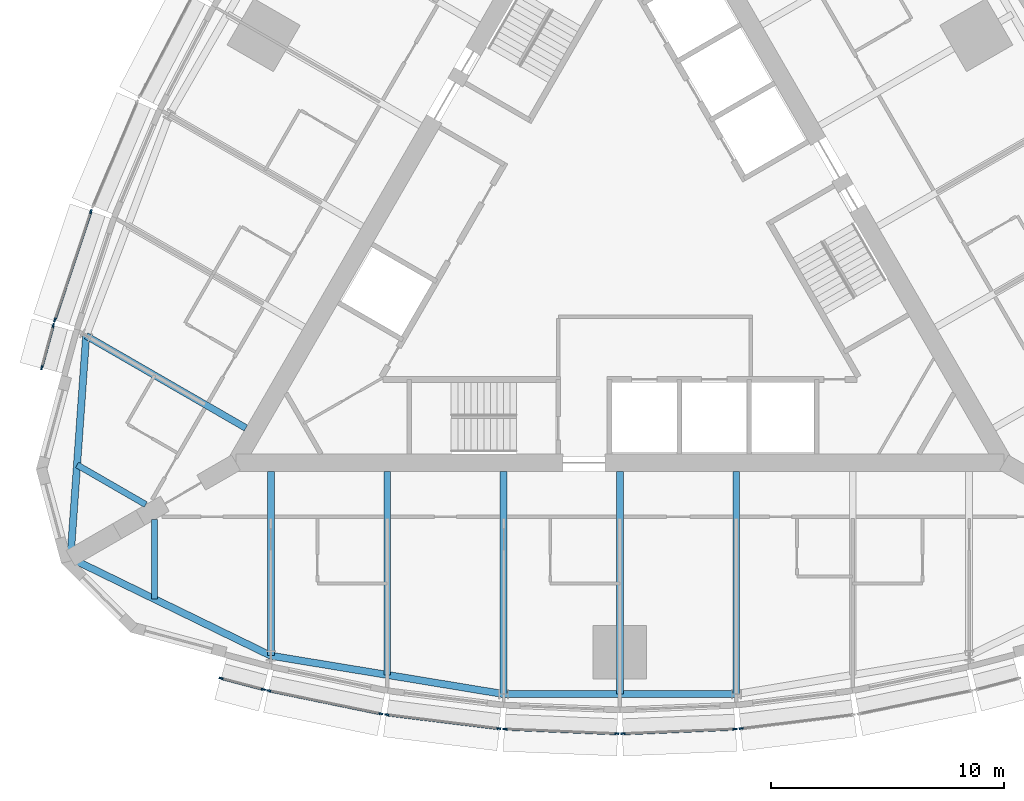
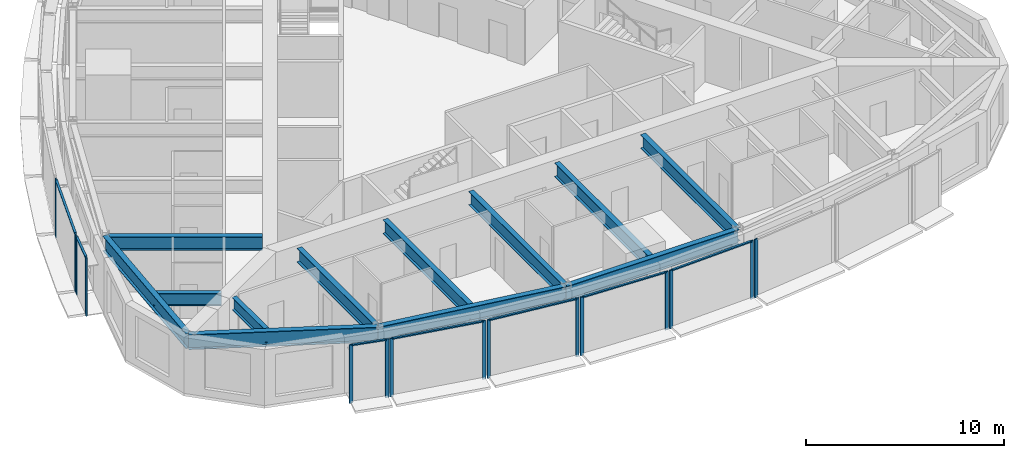
# One storey, part 2 of 15: 22 members, 12 beams, 8 elements without a shape of their own.
"""IFC4 building model written with IfcOpenShell, lengths in metres."""

import ifcopenshell
import ifcopenshell.guid

model = None  # the IFC model being written
_history = None  # IfcOwnerHistory: only IFC2X3 demands one
_inside = {}  # id of a spatial element -> (the spatial element, [elements in it])
_under = {}  # id of a project, library or spatial element -> (it, [spatial elements below it])
_declared = {}  # id of a project -> (the project, [libraries it declares])
_typed = {}  # id of a type object -> (the type object, [elements of that type])
_made_of = {}  # id of a material, layer set ... -> (it, [elements and type objects made of it])


def new_model(schema):
    """Start an empty IFC model of exactly this schema.

    Asked for "IFC4X3", IfcOpenShell would pick the latest addendum, in which some entities
    have other attributes; the version numbers below select the first issue.
    IFC2X3 requires an IfcOwnerHistory on every rooted entity: one is made here for all.
    """
    global model, _history
    if schema == "IFC4X3":
        model = ifcopenshell.file(schema_version=(4, 3, 0, 0))
    else:
        model = ifcopenshell.file(schema=schema)
    _inside.clear()
    _under.clear()
    _declared.clear()
    _typed.clear()
    _made_of.clear()
    _history = None
    if model.schema == "IFC2X3":
        org = make("IfcOrganization", Name="unknown")
        user = make(
            "IfcPersonAndOrganization",
            ThePerson=make("IfcPerson", FamilyName="unknown"),
            TheOrganization=org,
        )
        app = make(
            "IfcApplication",
            ApplicationDeveloper=org,
            Version="unknown",
            ApplicationFullName="unknown",
            ApplicationIdentifier="unknown",
        )
        _history = make(
            "IfcOwnerHistory",
            OwningUser=user,
            OwningApplication=app,
            ChangeAction="ADDED",
            CreationDate=0,
        )
    return model


def make(cls, **values):
    """One entity of the class cls with the attributes given. An attribute that is None is left unset."""
    return model.create_entity(
        cls, **{name: value for name, value in values.items() if value is not None}
    )


def rooted(cls, **values):
    """An entity with a GlobalId (a new one), such as an element, a storey or a relation."""
    return make(cls, GlobalId=ifcopenshell.guid.new(), OwnerHistory=_history, **values)


def si_unit(unit_type, name, prefix=None):
    """IfcSIUnit, for example si_unit("LENGTHUNIT", "METRE", prefix="MILLI")."""
    return make("IfcSIUnit", UnitType=unit_type, Prefix=prefix, Name=name)


def assignment(units):
    """IfcUnitAssignment: the units of a project."""
    return None if units is None else make("IfcUnitAssignment", Units=units)


def point(xyz):
    """IfcCartesianPoint."""
    return None if xyz is None else make("IfcCartesianPoint", Coordinates=xyz)


def direction(xyz):
    """IfcDirection."""
    return None if xyz is None else make("IfcDirection", DirectionRatios=xyz)


def frame(location, z_axis=None, x_axis=None):
    """IfcAxis2Placement3D, a coordinate frame: its origin and axes. An axis left out is left unset."""
    return make(
        "IfcAxis2Placement3D",
        Location=point(location),
        Axis=direction(z_axis),
        RefDirection=direction(x_axis),
    )


def frame_2d(location, x_axis=None):
    """IfcAxis2Placement2D, a coordinate frame in the plane: its origin and x axis."""
    return make(
        "IfcAxis2Placement2D", Location=point(location), RefDirection=direction(x_axis)
    )


def origin():
    """The frame at (0, 0, 0) with its axes left unset."""
    return frame((0.0, 0.0, 0.0))


def origin_2d():
    """The frame at (0, 0) in the plane with its x axis left unset."""
    return frame_2d((0.0, 0.0))


def place(relative_to, where):
    """IfcLocalPlacement: puts the frame where relative to a parent placement (None: the world)."""
    return make(
        "IfcLocalPlacement", PlacementRelTo=relative_to, RelativePlacement=where
    )


def context(
    kind, dimensions, precision=None, world=None, true_north=None, identifier=None
):
    """IfcGeometricRepresentationContext, for example the 3D "Model" context."""
    return make(
        "IfcGeometricRepresentationContext",
        ContextIdentifier=identifier,
        ContextType=kind,
        CoordinateSpaceDimension=dimensions,
        Precision=precision,
        WorldCoordinateSystem=world,
        TrueNorth=true_north,
    )


def subcontext(parent, identifier, kind, view, scale=None):
    """IfcGeometricRepresentationSubContext, for example "Body" below "Model"."""
    return make(
        "IfcGeometricRepresentationSubContext",
        ContextIdentifier=identifier,
        ContextType=kind,
        ParentContext=parent,
        TargetScale=scale,
        TargetView=view,
    )


def project(units=None, contexts=None):
    """IfcProject with its units and contexts."""
    return rooted(
        "IfcProject",
        Name="project",
        RepresentationContexts=contexts,
        UnitsInContext=assignment(units),
    )


def spatial(cls, under=None, at=None, **own):
    """A site, building, storey or space (cls), placed at a placement, below another one or the project."""
    s = rooted(cls, ObjectPlacement=at, **own)
    if under is not None:
        _under.setdefault(under.id(), (under, []))[1].append(s)
    return s


def profile(cls, at=None, kind="AREA", **sizes):
    """A parametric profile (cls). Its sizes go by their IFC names, for example OverallWidth=200.0."""
    return make(cls, ProfileType=kind, Position=at, **sizes)


def rectangle(**sizes):
    """IfcRectangleProfileDef."""
    return profile("IfcRectangleProfileDef", **sizes)


def i_section(**sizes):
    """IfcIShapeProfileDef."""
    return profile("IfcIShapeProfileDef", **sizes)


def extrude(swept, where, along, depth):
    """IfcExtrudedAreaSolid: the profile swept, set in the frame where, extruded along a direction by depth."""
    return make(
        "IfcExtrudedAreaSolid",
        SweptArea=swept,
        Position=where,
        ExtrudedDirection=direction(along),
        Depth=depth,
    )


def shape(context_of_items, identifier, shape_type, items):
    """IfcShapeRepresentation: the items that make up one representation, for example the "Body"."""
    return make(
        "IfcShapeRepresentation",
        ContextOfItems=context_of_items,
        RepresentationIdentifier=identifier,
        RepresentationType=shape_type,
        Items=items,
    )


def material(Name=None, Category=None):
    """IfcMaterial."""
    return make("IfcMaterial", Name=Name, Category=Category)


def material_profile(
    of_material, cross_section, Name=None, Category=None, Priority=None
):
    """IfcMaterialProfile: a cross section and its material."""
    return make(
        "IfcMaterialProfile",
        Name=Name,
        Material=of_material,
        Profile=cross_section,
        Priority=Priority,
        Category=Category,
    )


def profile_set(profiles, Name=None, composite=None):
    """IfcMaterialProfileSet."""
    return make(
        "IfcMaterialProfileSet",
        Name=Name,
        MaterialProfiles=profiles,
        CompositeProfile=composite,
    )


def made_of(thing, what):
    """Note that an element or type object is made of a material, layer set ...; save() writes the relation."""
    if what is not None:
        _made_of.setdefault(what.id(), (what, []))[1].append(thing)
    return thing


def type_object(cls, material=None, **own):
    """A type object (cls), such as IfcWallType, which elements share."""
    return made_of(rooted(cls, **own), material)


def element(
    cls,
    number,
    at=None,
    inside=None,
    cuts=None,
    type_object=None,
    material=None,
    context=None,
    identifier="Body",
    shape_type=None,
    held_by="IfcProductDefinitionShape",
    body=None,
    shapes=None,
    **own,
):
    """One element of the class cls, such as IfcWall. Its Tag is "e" and its number.

    at: its placement. inside: the storey or other place that contains it. cuts: it is an
    opening in that element (IfcRelVoidsElement). A single representation is given by context,
    identifier, shape_type and body (its items); several are given by shapes. held_by: the class
    of the entity that holds the representations. save() writes the other relations.
    """
    e = rooted(cls, Tag="e%d" % number, ObjectPlacement=at, **own)
    if body is not None:
        shapes = [shape(context, identifier, shape_type, body)]
    if shapes is not None:
        e.Representation = make(held_by, Representations=shapes)
    if inside is not None:
        _inside.setdefault(inside.id(), (inside, []))[1].append(e)
    if cuts is not None:
        rooted(
            "IfcRelVoidsElement", RelatingBuildingElement=cuts, RelatedOpeningElement=e
        )
    if type_object is not None:
        _typed.setdefault(type_object.id(), (type_object, []))[1].append(e)
    return made_of(e, material)


def aggregate(whole, parts):
    """IfcRelAggregates: a whole, such as a stair, and the parts it consists of."""
    return rooted("IfcRelAggregates", RelatingObject=whole, RelatedObjects=parts)


def save(model, path):
    """Write the relations noted so far, then the file.

    IfcRelAggregates (storeys below a building ...), IfcRelContainedInSpatialStructure (elements
    in a storey), IfcRelDefinesByType, IfcRelAssociatesMaterial and IfcRelDeclares: one each for
    every whole, place, type object, material and project.
    """
    for whole, parts in _under.values():
        aggregate(whole, parts)
    for where, things in _inside.values():
        rooted(
            "IfcRelContainedInSpatialStructure",
            RelatedElements=things,
            RelatingStructure=where,
        )
    for kind, things in _typed.values():
        rooted("IfcRelDefinesByType", RelatedObjects=things, RelatingType=kind)
    for what, things in _made_of.values():
        rooted("IfcRelAssociatesMaterial", RelatedObjects=things, RelatingMaterial=what)
    for by, libraries in _declared.values():
        rooted("IfcRelDeclares", RelatingContext=by, RelatedDefinitions=libraries)
    model.write(path)


model = new_model("IFC4")

# Units and contexts
model_context = context("Model", 3, precision=1e-05, world=origin(), true_north=direction((0.0, 1.0)))
body_context = subcontext(model_context, "Body", "Model", "MODEL_VIEW")
ifc_project = project(units=[si_unit("LENGTHUNIT", "METRE"), si_unit("AREAUNIT", "SQUARE_METRE"), si_unit("VOLUMEUNIT", "CUBIC_METRE"), si_unit("PLANEANGLEUNIT", "RADIAN"), si_unit("MASSUNIT", "GRAM", prefix="KILO")], contexts=[model_context])

# Site, building, storey
site_placement = place(None, origin())
site = spatial("IfcSite", under=ifc_project, at=site_placement, CompositionType="ELEMENT")
building_placement = place(site_placement, origin())
building = spatial("IfcBuilding", under=site, at=building_placement, Name="Trikona Tower", CompositionType="ELEMENT")
storey_placement = place(building_placement, frame((0.0, 0.0, 215.300048828125)))
storey = spatial("IfcBuildingStorey", under=building, at=storey_placement, Name="L57", CompositionType="ELEMENT", Elevation=215.300048828125)

# Curtain wall, members
ifc_material_1 = material(Name="Aluminium curtain wall system", Category="aluminium")
curtain_wall_type = type_object("IfcCurtainWallType", Name="Curtain wall DS3", PredefinedType="NOTDEFINED", material=ifc_material_1)
curtain_wall_1_placement = place(storey_placement, origin())
curtain_wall_1 = element("IfcCurtainWall", 1, at=curtain_wall_1_placement, inside=storey, type_object=curtain_wall_type, Name="Curtain wall DS3 L57", PredefinedType="NOTDEFINED")
ifc_material_2 = material(Name="Aluminium mullion, pale anodised", Category="aluminium")
ifc_material_profile_1 = material_profile(ifc_material_2, rectangle(XDim=0.070068359375, YDim=0.179931640625, at=origin_2d()), Name="MUL-DS3")
ifc_profile_set_1 = profile_set([ifc_material_profile_1], Name="Aluminium mullion, pale anodised")
member_type_1 = type_object("IfcMemberType", Name="Mullion DS3 70x180", PredefinedType="MULLION", material=ifc_profile_set_1)
member_1_placement = place(storey_placement, frame((-17.137451171875, -18.79248046875, 0.0), z_axis=(0.0, 0.0, 1.0), x_axis=(0.25478635579, 0.966997369647, 0.0)))
member_1 = element("IfcMember", 2, at=member_1_placement, type_object=member_type_1, Name="CW-DS3 mullion 1", PredefinedType="MULLION", context=body_context, shape_type="SweptSolid", body=[
    extrude(rectangle(XDim=0.070068359375, YDim=0.179931640625, at=origin_2d()), origin(), (0.0, 0.0, 1.0), 3.599853515625),
])
member_2_placement = place(storey_placement, frame((-15.321044921875, -19.27099609375, 0.0), z_axis=(0.0, 0.0, 1.0), x_axis=(0.25478635579, 0.966997369647, 0.0)))
member_2 = element("IfcMember", 3, at=member_2_placement, type_object=member_type_1, Name="CW-DS3 mullion 2", PredefinedType="MULLION", context=body_context, shape_type="SweptSolid", body=[
    extrude(rectangle(XDim=0.070068359375, YDim=0.179931640625, at=origin_2d()), origin(), (0.0, 0.0, 1.0), 3.599853515625),
])

curtain_wall_2_placement = place(storey_placement, origin())
curtain_wall_2 = element("IfcCurtainWall", 4, at=curtain_wall_2_placement, inside=storey, type_object=curtain_wall_type, Name="Curtain wall DS3 L57", PredefinedType="NOTDEFINED")
member_3_placement = place(storey_placement, frame((-15.08837890625, -19.325439453125, 0.0), z_axis=(0.0, 0.0, 1.0), x_axis=(0.201652920672, 0.979457043256, 0.0)))
member_3 = element("IfcMember", 5, at=member_3_placement, type_object=member_type_1, Name="CW-DS3 mullion 1", PredefinedType="MULLION", context=body_context, shape_type="SweptSolid", body=[
    extrude(rectangle(XDim=0.070068359375, YDim=0.179931640625, at=origin_2d()), origin(), (0.0, 0.0, 1.0), 3.599853515625),
])
member_4_placement = place(storey_placement, frame((-10.274658203125, -20.316650390625, 0.0), z_axis=(0.0, 0.0, 1.0), x_axis=(0.201652920672, 0.979457043256, 0.0)))
member_4 = element("IfcMember", 6, at=member_4_placement, type_object=member_type_1, Name="CW-DS3 mullion 2", PredefinedType="MULLION", context=body_context, shape_type="SweptSolid", body=[
    extrude(rectangle(XDim=0.070068359375, YDim=0.179931640625, at=origin_2d()), origin(), (0.0, 0.0, 1.0), 3.599853515625),
])

curtain_wall_3_placement = place(storey_placement, origin())
curtain_wall_3 = element("IfcCurtainWall", 7, at=curtain_wall_3_placement, inside=storey, type_object=curtain_wall_type, Name="Curtain wall DS3 L57", PredefinedType="NOTDEFINED")
member_5_placement = place(storey_placement, frame((-10.01611328125, -20.359130859375, 0.0), z_axis=(0.0, 0.0, 1.0), x_axis=(0.122610640458, 0.992454850785, 0.0)))
member_5 = element("IfcMember", 8, at=member_5_placement, type_object=member_type_1, Name="CW-DS3 mullion 1", PredefinedType="MULLION", context=body_context, shape_type="SweptSolid", body=[
    extrude(rectangle(XDim=0.070068359375, YDim=0.179931640625, at=origin_2d()), origin(), (0.0, 0.0, 1.0), 3.599853515625),
])
member_6_placement = place(storey_placement, frame((-5.20458984375, -20.95361328125, 0.0), z_axis=(0.0, 0.0, 1.0), x_axis=(0.122610640458, 0.992454850785, 0.0)))
member_6 = element("IfcMember", 9, at=member_6_placement, type_object=member_type_1, Name="CW-DS3 mullion 2", PredefinedType="MULLION", context=body_context, shape_type="SweptSolid", body=[
    extrude(rectangle(XDim=0.070068359375, YDim=0.179931640625, at=origin_2d()), origin(), (0.0, 0.0, 1.0), 3.599853515625),
])

curtain_wall_4_placement = place(storey_placement, origin())
curtain_wall_4 = element("IfcCurtainWall", 10, at=curtain_wall_4_placement, inside=storey, type_object=curtain_wall_type, Name="Curtain wall DS3 L57", PredefinedType="NOTDEFINED")
member_7_placement = place(storey_placement, frame((-4.942138671875, -20.97509765625, 0.0), z_axis=(0.0, 0.0, 1.0), x_axis=(0.04115278907, 0.999152865157, 0.0)))
member_7 = element("IfcMember", 11, at=member_7_placement, type_object=member_type_1, Name="CW-DS3 mullion 1", PredefinedType="MULLION", context=body_context, shape_type="SweptSolid", body=[
    extrude(rectangle(XDim=0.070068359375, YDim=0.179931640625, at=origin_2d()), origin(), (0.0, 0.0, 1.0), 3.599853515625),
])
member_8_placement = place(storey_placement, frame((-0.132080078125, -21.17333984375, 0.0), z_axis=(0.0, 0.0, 1.0), x_axis=(0.04115278907, 0.999152865157, 0.0)))
member_8 = element("IfcMember", 12, at=member_8_placement, type_object=member_type_1, Name="CW-DS3 mullion 2", PredefinedType="MULLION", context=body_context, shape_type="SweptSolid", body=[
    extrude(rectangle(XDim=0.070068359375, YDim=0.179931640625, at=origin_2d()), origin(), (0.0, 0.0, 1.0), 3.599853515625),
])

curtain_wall_5_placement = place(storey_placement, origin())
curtain_wall_5 = element("IfcCurtainWall", 13, at=curtain_wall_5_placement, inside=storey, type_object=curtain_wall_type, Name="Curtain wall DS3 L57", PredefinedType="NOTDEFINED")
member_9_placement = place(storey_placement, frame((0.132080078125, -21.17333984375, 0.0), z_axis=(0.0, 0.0, 1.0), x_axis=(-0.04115278907, 0.999152865157, 0.0)))
member_9 = element("IfcMember", 14, at=member_9_placement, type_object=member_type_1, Name="CW-DS3 mullion 1", PredefinedType="MULLION", context=body_context, shape_type="SweptSolid", body=[
    extrude(rectangle(XDim=0.070068359375, YDim=0.179931640625, at=origin_2d()), origin(), (0.0, 0.0, 1.0), 3.599853515625),
])
member_10_placement = place(storey_placement, frame((4.942138671875, -20.97509765625, 0.0), z_axis=(0.0, 0.0, 1.0), x_axis=(-0.04115278907, 0.999152865157, 0.0)))
member_10 = element("IfcMember", 15, at=member_10_placement, type_object=member_type_1, Name="CW-DS3 mullion 2", PredefinedType="MULLION", context=body_context, shape_type="SweptSolid", body=[
    extrude(rectangle(XDim=0.070068359375, YDim=0.179931640625, at=origin_2d()), origin(), (0.0, 0.0, 1.0), 3.599853515625),
])

# Curtain wall, member
curtain_wall_6_placement = place(storey_placement, origin())
curtain_wall_6 = element("IfcCurtainWall", 16, at=curtain_wall_6_placement, inside=storey, type_object=curtain_wall_type, Name="Curtain wall DS3 L57", PredefinedType="NOTDEFINED")
member_11_placement = place(storey_placement, frame((5.20458984375, -20.95361328125, 0.0), z_axis=(0.0, 0.0, 1.0), x_axis=(-0.122610640458, 0.992454850785, 0.0)))
member_11 = element("IfcMember", 17, at=member_11_placement, type_object=member_type_1, Name="CW-DS3 mullion 1", PredefinedType="MULLION", context=body_context, shape_type="SweptSolid", body=[
    extrude(rectangle(XDim=0.070068359375, YDim=0.179931640625, at=origin_2d()), origin(), (0.0, 0.0, 1.0), 3.599853515625),
])
aggregate(curtain_wall_6, [member_11])

# Curtain wall, members
curtain_wall_7_placement = place(storey_placement, origin())
curtain_wall_7 = element("IfcCurtainWall", 18, at=curtain_wall_7_placement, inside=storey, type_object=curtain_wall_type, Name="Curtain wall DS3 L57", PredefinedType="NOTDEFINED")
member_12_placement = place(storey_placement, frame((-22.73193359375, 1.26025390625, 0.0), z_axis=(0.0, 0.0, 1.0), x_axis=(0.949065766708, -0.315078038687, 0.0)))
member_12 = element("IfcMember", 19, at=member_12_placement, type_object=member_type_1, Name="CW-DS3 mullion 1", PredefinedType="MULLION", context=body_context, shape_type="SweptSolid", body=[
    extrude(rectangle(XDim=0.070068359375, YDim=0.179931640625, at=origin_2d()), origin(), (0.0, 0.0, 1.0), 3.599853515625),
])
member_13_placement = place(storey_placement, frame((-24.280517578125, -3.404296875, 0.0), z_axis=(0.0, 0.0, 1.0), x_axis=(0.949065766708, -0.315078038687, 0.0)))
member_13 = element("IfcMember", 20, at=member_13_placement, type_object=member_type_1, Name="CW-DS3 mullion 2", PredefinedType="MULLION", context=body_context, shape_type="SweptSolid", body=[
    extrude(rectangle(XDim=0.070068359375, YDim=0.179931640625, at=origin_2d()), origin(), (0.0, 0.0, 1.0), 3.599853515625),
])

curtain_wall_8_placement = place(storey_placement, origin())
curtain_wall_8 = element("IfcCurtainWall", 21, at=curtain_wall_8_placement, inside=storey, type_object=curtain_wall_type, Name="Curtain wall DS3 L57", PredefinedType="NOTDEFINED")
member_14_placement = place(storey_placement, frame((-24.349609375, -3.633056640625, 0.0), z_axis=(0.0, 0.0, 1.0), x_axis=(0.964838403494, -0.262843784676, 0.0)))
member_14 = element("IfcMember", 22, at=member_14_placement, type_object=member_type_1, Name="CW-DS3 mullion 1", PredefinedType="MULLION", context=body_context, shape_type="SweptSolid", body=[
    extrude(rectangle(XDim=0.070068359375, YDim=0.179931640625, at=origin_2d()), origin(), (0.0, 0.0, 1.0), 3.599853515625),
])
member_15_placement = place(storey_placement, frame((-24.843505859375, -5.4453125, 0.0), z_axis=(0.0, 0.0, 1.0), x_axis=(0.964838403494, -0.262843784676, 0.0)))
member_15 = element("IfcMember", 23, at=member_15_placement, type_object=member_type_1, Name="CW-DS3 mullion 2", PredefinedType="MULLION", context=body_context, shape_type="SweptSolid", body=[
    extrude(rectangle(XDim=0.070068359375, YDim=0.179931640625, at=origin_2d()), origin(), (0.0, 0.0, 1.0), 3.599853515625),
])

# Beams
ifc_material_3 = material(Name="Steel ASTM A992 Grade 50", Category="steel")
ifc_material_profile_2 = material_profile(ifc_material_3, i_section(OverallWidth=0.2666015625, OverallDepth=0.76953125, WebThickness=0.015625, FlangeThickness=0.025390625, at=origin_2d()), Name="W30X132")
ifc_profile_set_2 = profile_set([ifc_material_profile_2], Name="Steel ASTM A992 Grade 50")
beam_type_1 = type_object("IfcBeamType", Name="Steel beam W30x132 (wedge)", PredefinedType="BEAM", material=ifc_profile_set_2)
beam_1_placement = place(storey_placement, frame((-20.0, -11.97998046875, 3.050048828125), z_axis=(0.0, -1.0, 0.0), x_axis=(1.0, 0.0, 0.0)))
element("IfcBeam", 24, at=beam_1_placement, inside=storey, type_object=beam_type_1, Name="Floor beam L58 F1 u-20", PredefinedType="BEAM", context=body_context, shape_type="SweptSolid", body=[
    extrude(i_section(OverallWidth=0.2666015625, OverallDepth=0.76953125, WebThickness=0.015625, FlangeThickness=0.025390625, at=origin_2d()), origin(), (0.0, 0.0, 1.0), 3.40966796875),
])
beam_2_placement = place(storey_placement, frame((-20.375, -11.33056640625, 3.050048828125), z_axis=(-0.865995995653, 0.500050932918, 0.0), x_axis=(-0.500050932918, -0.865995995653, 0.0)))
element("IfcBeam", 25, at=beam_2_placement, inside=storey, type_object=beam_type_1, Name="Floor beam L58 F3 u20", PredefinedType="BEAM", context=body_context, shape_type="SweptSolid", body=[
    extrude(i_section(OverallWidth=0.2666015625, OverallDepth=0.76953125, WebThickness=0.015625, FlangeThickness=0.025390625, at=origin_2d()), origin(), (0.0, 0.0, 1.0), 3.409912109375),
])
ifc_material_4 = material(Name="Steel ASTM A992 Grade 50", Category="steel")
ifc_material_profile_3 = material_profile(ifc_material_4, i_section(OverallWidth=0.2919921875, OverallDepth=0.845703125, WebThickness=0.015380859375, FlangeThickness=0.0244140625, at=origin_2d()), Name="W33X141")
ifc_profile_set_3 = profile_set([ifc_material_profile_3], Name="Steel ASTM A992 Grade 50")
beam_type_2 = type_object("IfcBeamType", Name="Steel beam W33x141 (radial typ)", PredefinedType="BEAM", material=ifc_profile_set_3)
beam_3_placement = place(storey_placement, frame((-15.0, -9.9013671875, 3.011962890625), z_axis=(0.0, -1.0, 0.0), x_axis=(1.0, 0.0, 0.0)))
element("IfcBeam", 26, at=beam_3_placement, inside=storey, type_object=beam_type_2, Name="Floor beam L58 F1 u-15", PredefinedType="BEAM", context=body_context, shape_type="SweptSolid", body=[
    extrude(i_section(OverallWidth=0.2919921875, OverallDepth=0.845703125, WebThickness=0.015380859375, FlangeThickness=0.0244140625, at=origin_2d()), origin(), (0.0, 0.0, 1.0), 7.923583984375),
])
beam_4_placement = place(storey_placement, frame((-10.0, -9.9013671875, 3.011962890625), z_axis=(0.0, -1.0, 0.0), x_axis=(1.0, 0.0, 0.0)))
element("IfcBeam", 27, at=beam_4_placement, inside=storey, type_object=beam_type_2, Name="Floor beam L58 F1 u-10", PredefinedType="BEAM", context=body_context, shape_type="SweptSolid", body=[
    extrude(i_section(OverallWidth=0.2919921875, OverallDepth=0.845703125, WebThickness=0.015380859375, FlangeThickness=0.0244140625, at=origin_2d()), origin(), (0.0, 0.0, 1.0), 8.7470703125),
])
for number, where, z_axis, x_axis, name in (
    (28, (-5.0, -9.9013671875, 3.011962890625), (0.0, -1.0, 0.0), (1.0, 0.0, 0.0), "Floor beam L58 F1 u-5"),
    (29, (0.0, -9.9013671875, 3.011962890625), (0.0, -1.0, 0.0), (1.0, 0.0, 0.0), "Floor beam L58 F1 u0"),
    (30, (5.0, -9.9013671875, 3.011962890625), (0.0, -1.0, 0.0), (1.0, 0.0, 0.0), "Floor beam L58 F1 u5"),
):
    element("IfcBeam", number, at=place(storey_placement, frame(where, z_axis=z_axis, x_axis=x_axis)), inside=storey, type_object=beam_type_2, Name=name, PredefinedType="BEAM", context=body_context, shape_type="SweptSolid", body=[
        extrude(i_section(OverallWidth=0.2919921875, OverallDepth=0.845703125, WebThickness=0.015380859375, FlangeThickness=0.0244140625, at=origin_2d()), origin(), (0.0, 0.0, 1.0), 9.570556640625),
    ])
beam_5_placement = place(storey_placement, frame((-16.07470703125, -8.039794921875, 3.011962890625), z_axis=(-0.866019853763, 0.500009612796, 0.0), x_axis=(-0.500009612796, -0.866019853763, 0.0)))
element("IfcBeam", 31, at=beam_5_placement, inside=storey, type_object=beam_type_2, Name="Floor beam L58 F3 u15", PredefinedType="BEAM", context=body_context, shape_type="SweptSolid", body=[
    extrude(i_section(OverallWidth=0.2919921875, OverallDepth=0.845703125, WebThickness=0.015380859375, FlangeThickness=0.0244140625, at=origin_2d()), origin(), (0.0, 0.0, 1.0), 7.923583984375),
])
ifc_material_5 = material(Name="Steel ASTM A992 Grade 50", Category="steel")
ifc_material_profile_4 = material_profile(ifc_material_5, i_section(OverallWidth=0.307373046875, OverallDepth=0.922119140625, WebThickness=0.018310546875, FlangeThickness=0.030029296875, at=origin_2d()), Name="W36X182")
ifc_profile_set_4 = profile_set([ifc_material_profile_4], Name="Steel ASTM A992 Grade 50")
beam_type_3 = type_object("IfcBeamType", Name="Steel beam W36x182 (spandrel mid)", PredefinedType="SPANDREL", material=ifc_profile_set_4)
beam_6_placement = place(storey_placement, frame((-23.6103515625, -13.63134765625, 2.973876953125), z_axis=(0.899038503257, -0.437869580652, 0.0), x_axis=(0.437869580652, 0.899038503257, 0.0)))
element("IfcBeam", 32, at=beam_6_placement, inside=storey, type_object=beam_type_3, Name="Spandrel beam L58 F1-1", PredefinedType="SPANDREL", context=body_context, shape_type="SweptSolid", body=[
    extrude(i_section(OverallWidth=0.307373046875, OverallDepth=0.922119140625, WebThickness=0.018310546875, FlangeThickness=0.030029296875, at=origin_2d()), origin(), (0.0, 0.0, 1.0), 9.577392578125),
])
beam_7_placement = place(storey_placement, frame((-15.0, -17.824951171875, 2.973876953125), z_axis=(0.986707228918, -0.162507982575, 0.0), x_axis=(0.162507982575, 0.986707228918, 0.0)))
element("IfcBeam", 33, at=beam_7_placement, inside=storey, type_object=beam_type_3, Name="Spandrel beam L58 F1-2", PredefinedType="SPANDREL", context=body_context, shape_type="SweptSolid", body=[
    extrude(i_section(OverallWidth=0.307373046875, OverallDepth=0.922119140625, WebThickness=0.018310546875, FlangeThickness=0.030029296875, at=origin_2d()), origin(), (0.0, 0.0, 1.0), 10.134765625),
])
beam_8_placement = place(storey_placement, frame((-5.0, -19.471923828125, 2.973876953125), z_axis=(1.0, 0.0, 0.0), x_axis=(0.0, 1.0, 0.0)))
element("IfcBeam", 34, at=beam_8_placement, inside=storey, type_object=beam_type_3, Name="Spandrel beam L58 F1-3", PredefinedType="SPANDREL", context=body_context, shape_type="SweptSolid", body=[
    extrude(i_section(OverallWidth=0.307373046875, OverallDepth=0.922119140625, WebThickness=0.018310546875, FlangeThickness=0.030029296875, at=origin_2d()), origin(), (0.0, 0.0, 1.0), 10.0),
])
beam_9_placement = place(storey_placement, frame((-22.936767578125, -4.077880859375, 2.973876953125), z_axis=(-0.07033215835, -0.997523627541, 0.0), x_axis=(0.997523627541, -0.07033215835, 0.0)))
element("IfcBeam", 35, at=beam_9_placement, inside=storey, type_object=beam_type_3, Name="Spandrel beam L58 F3-5", PredefinedType="SPANDREL", context=body_context, shape_type="SweptSolid", body=[
    extrude(i_section(OverallWidth=0.307373046875, OverallDepth=0.922119140625, WebThickness=0.018310546875, FlangeThickness=0.030029296875, at=origin_2d()), origin(), (0.0, 0.0, 1.0), 9.5771484375),
])

# Member
ifc_material_6 = material(Name="Aluminium transom, pale anodised", Category="aluminium")
ifc_material_profile_5 = material_profile(ifc_material_6, rectangle(XDim=0.1201171875, YDim=0.070068359375, at=origin_2d()), Name="TRN-DS3")
ifc_profile_set_5 = profile_set([ifc_material_profile_5], Name="Aluminium transom, pale anodised")
member_type_2 = type_object("IfcMemberType", Name="Transom DS3 70x120", PredefinedType="USERDEFINED", material=ifc_profile_set_5)
member_16_placement = place(storey_placement, frame((-17.103515625, -18.80126953125, 3.56494140625), z_axis=(0.966999290683, -0.254779064719, 0.0), x_axis=(0.254779064719, 0.966999290683, 0.0)))
member_16 = element("IfcMember", 36, at=member_16_placement, type_object=member_type_2, Name="CW-DS3 transom 1.1", ObjectType="TRANSOM", PredefinedType="USERDEFINED", context=body_context, shape_type="SweptSolid", body=[
    extrude(rectangle(XDim=0.1201171875, YDim=0.070068359375, at=origin_2d()), origin(), (0.0, 0.0, 1.0), 1.80810546875),
])

aggregate(curtain_wall_1, [member_1, member_2, member_16])

member_17_placement = place(storey_placement, frame((-15.05419921875, -19.33251953125, 3.56494140625), z_axis=(0.979454408611, -0.201665717099, 0.0), x_axis=(0.201665717099, 0.979454408611, 0.0)))
member_17 = element("IfcMember", 37, at=member_17_placement, type_object=member_type_2, Name="CW-DS3 transom 1.1", ObjectType="TRANSOM", PredefinedType="USERDEFINED", context=body_context, shape_type="SweptSolid", body=[
    extrude(rectangle(XDim=0.1201171875, YDim=0.070068359375, at=origin_2d()), origin(), (0.0, 0.0, 1.0), 4.844970703125),
])

aggregate(curtain_wall_2, [member_3, member_4, member_17])

member_18_placement = place(storey_placement, frame((-9.9814453125, -20.363525390625, 3.56494140625), z_axis=(0.992459172161, -0.122575656611, 0.0), x_axis=(0.122575656611, 0.992459172161, 0.0)))
member_18 = element("IfcMember", 38, at=member_18_placement, type_object=member_type_2, Name="CW-DS3 transom 1.1", ObjectType="TRANSOM", PredefinedType="USERDEFINED", context=body_context, shape_type="SweptSolid", body=[
    extrude(rectangle(XDim=0.1201171875, YDim=0.070068359375, at=origin_2d()), origin(), (0.0, 0.0, 1.0), 4.7783203125),
])

aggregate(curtain_wall_3, [member_5, member_6, member_18])

member_19_placement = place(storey_placement, frame((-4.9072265625, -20.9765625, 3.56494140625), z_axis=(0.99915223027, -0.04116820067, 0.0), x_axis=(0.04116820067, 0.99915223027, 0.0)))
member_19 = element("IfcMember", 39, at=member_19_placement, type_object=member_type_2, Name="CW-DS3 transom 1.1", ObjectType="TRANSOM", PredefinedType="USERDEFINED", context=body_context, shape_type="SweptSolid", body=[
    extrude(rectangle(XDim=0.1201171875, YDim=0.070068359375, at=origin_2d()), origin(), (0.0, 0.0, 1.0), 4.744140625),
])

aggregate(curtain_wall_4, [member_7, member_8, member_19])

member_20_placement = place(storey_placement, frame((0.1669921875, -21.171875, 3.56494140625), z_axis=(0.99915223027, 0.04116820067, 0.0), x_axis=(-0.04116820067, 0.99915223027, 0.0)))
member_20 = element("IfcMember", 40, at=member_20_placement, type_object=member_type_2, Name="CW-DS3 transom 1.1", ObjectType="TRANSOM", PredefinedType="USERDEFINED", context=body_context, shape_type="SweptSolid", body=[
    extrude(rectangle(XDim=0.1201171875, YDim=0.070068359375, at=origin_2d()), origin(), (0.0, 0.0, 1.0), 4.744140625),
])

aggregate(curtain_wall_5, [member_9, member_10, member_20])

member_21_placement = place(storey_placement, frame((-22.7431640625, 1.22705078125, 3.56494140625), z_axis=(-0.315063426034, -0.949070617802, 0.0), x_axis=(0.949070617802, -0.315063426034, 0.0)))
member_21 = element("IfcMember", 41, at=member_21_placement, type_object=member_type_2, Name="CW-DS3 transom 1.1", ObjectType="TRANSOM", PredefinedType="USERDEFINED", context=body_context, shape_type="SweptSolid", body=[
    extrude(rectangle(XDim=0.1201171875, YDim=0.070068359375, at=origin_2d()), origin(), (0.0, 0.0, 1.0), 4.8447265625),
])

aggregate(curtain_wall_7, [member_12, member_13, member_21])

member_22_placement = place(storey_placement, frame((-24.35888671875, -3.666748046875, 3.56494140625), z_axis=(-0.262843243155, -0.964838551017, 0.0), x_axis=(0.964838551017, -0.262843243155, 0.0)))
member_22 = element("IfcMember", 42, at=member_22_placement, type_object=member_type_2, Name="CW-DS3 transom 1.1", ObjectType="TRANSOM", PredefinedType="USERDEFINED", context=body_context, shape_type="SweptSolid", body=[
    extrude(rectangle(XDim=0.1201171875, YDim=0.070068359375, at=origin_2d()), origin(), (0.0, 0.0, 1.0), 1.808349609375),
])

aggregate(curtain_wall_8, [member_14, member_15, member_22])

save(model, "model.ifc")
